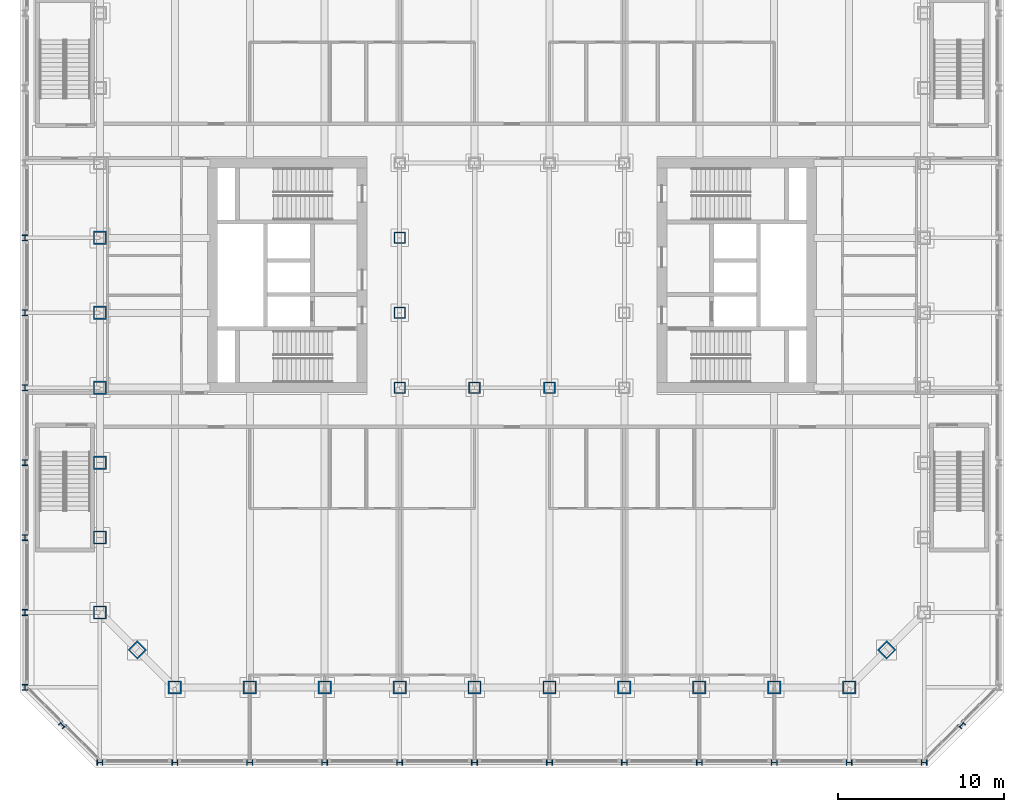
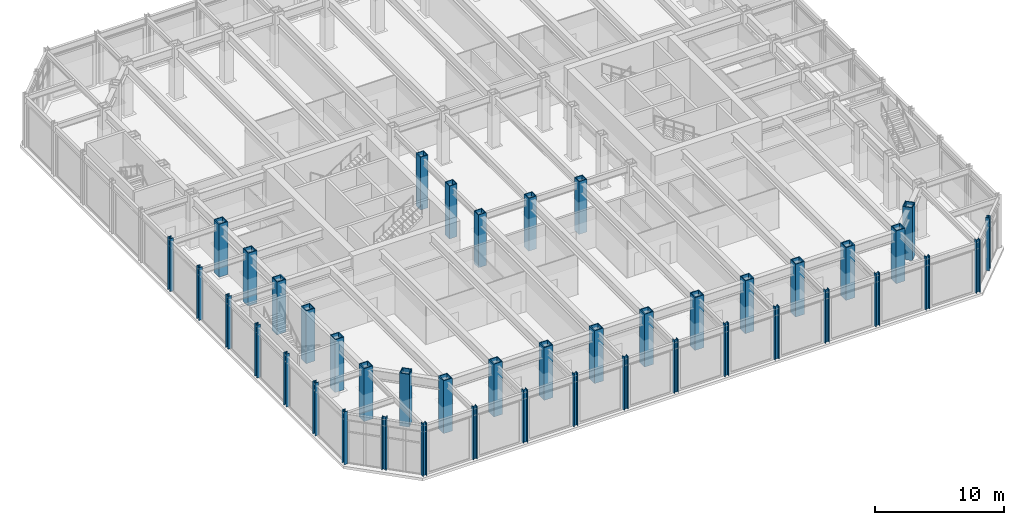
# One storey, part 1 of 19: 44 columns.
"""IFC4 building model written with IfcOpenShell, lengths in metres."""

from ifc_helpers import new_model, si_unit, direction, frame, origin, origin_2d, place, context, subcontext, project, spatial, hollow_rectangle, i_section, extrude, material, material_profile, profile_set, type_object, element, save


model = new_model("IFC4")

# Units and contexts
model_context = context("Model", 3, precision=1e-05, world=origin(), true_north=direction((0.0, 1.0)))
body_context = subcontext(model_context, "Body", "Model", "MODEL_VIEW")
ifc_project = project(units=[si_unit("LENGTHUNIT", "METRE"), si_unit("AREAUNIT", "SQUARE_METRE"), si_unit("VOLUMEUNIT", "CUBIC_METRE"), si_unit("PLANEANGLEUNIT", "RADIAN"), si_unit("MASSUNIT", "GRAM", prefix="KILO")], contexts=[model_context])

# Site, building, storey
site_placement = place(None, origin())
site = spatial("IfcSite", under=ifc_project, at=site_placement, CompositionType="ELEMENT")
building_placement = place(site_placement, origin())
building = spatial("IfcBuilding", under=site, at=building_placement, Name="Msasa Ring Tower", CompositionType="ELEMENT")
storey_placement = place(building_placement, frame((0.0, 0.0, 6.0)))
storey = spatial("IfcBuildingStorey", under=building, at=storey_placement, Name="L01", CompositionType="ELEMENT", Elevation=6.0)

# Columns
ifc_material_1 = material(Name="Steel S355", Category="steel")
ifc_material_profile_1 = material_profile(ifc_material_1, hollow_rectangle(XDim=0.699951171875, YDim=0.699951171875, WallThickness=0.070068359375, at=origin_2d()), Name="BOX 700x700x70")
ifc_profile_set_1 = profile_set([ifc_material_profile_1], Name="Steel S355")
column_type_1 = type_object("IfcColumnType", Name="IC1 BOX 700x700x70", PredefinedType="COLUMN", material=ifc_profile_set_1)
for number, where, z_axis, x_axis, name in (
    (1, (-6.75, -6.75, 0.0), (0.0, 0.0, 1.0), (1.0, 0.0, 0.0), "Inner ring column IR-6.75-6.75 L01"),
    (2, (-6.75, -2.25, 0.0), (0.0, 0.0, 1.0), (1.0, 0.0, 0.0), "Inner ring column IR-6.75-2.25 L01"),
    (3, (-6.75, 2.25, 0.0), (0.0, 0.0, 1.0), (1.0, 0.0, 0.0), "Inner ring column IR-6.75+2.25 L01"),
    (4, (-2.25, -6.75, 0.0), (0.0, 0.0, 1.0), (1.0, 0.0, 0.0), "Inner ring column IR-2.25-6.75 L01"),
    (5, (2.25, -6.75, 0.0), (0.0, 0.0, 1.0), (1.0, 0.0, 0.0), "Inner ring column IR+2.25-6.75 L01"),
):
    element("IfcColumn", number, at=place(storey_placement, frame(where, z_axis=z_axis, x_axis=x_axis)), inside=storey, type_object=column_type_1, Name=name, PredefinedType="COLUMN", context=body_context, shape_type="SweptSolid", body=[
        extrude(hollow_rectangle(XDim=0.699951171875, YDim=0.699951171875, WallThickness=0.070068359375, at=origin_2d()), origin(), (0.0, 0.0, 1.0), 5.0),
    ])
ifc_material_2 = material(Name="Steel S355", Category="steel")
ifc_material_profile_2 = material_profile(ifc_material_2, i_section(OverallWidth=0.322265625, OverallDepth=0.365234375, WebThickness=0.02685546875, FlangeThickness=0.044189453125, FilletRadius=0.01513671875, at=origin_2d()), Name="UC 305x305x283")
ifc_profile_set_2 = profile_set([ifc_material_profile_2], Name="Steel S355")
column_type_2 = type_object("IfcColumnType", Name="PC1 UC 305x305x283", PredefinedType="COLUMN", material=ifc_profile_set_2)
for number, where, z_axis, x_axis, name in (
    (6, (-24.75, -29.25, 0.0), (0.0, 0.0, 1.0), (0.0, 1.0, 0.0), "Podium column S-24.75 L01"),
    (7, (-29.25, -24.75, 0.0), (0.0, 0.0, 1.0), (1.0, 0.0, 0.0), "Podium column W-24.75 L01"),
    (8, (-20.25, -29.25, 0.0), (0.0, 0.0, 1.0), (0.0, 1.0, 0.0), "Podium column S-20.25 L01"),
    (9, (-29.25, -20.25, 0.0), (0.0, 0.0, 1.0), (1.0, 0.0, 0.0), "Podium column W-20.25 L01"),
    (10, (-15.75, -29.25, 0.0), (0.0, 0.0, 1.0), (0.0, 1.0, 0.0), "Podium column S-15.75 L01"),
    (11, (-29.25, -15.75, 0.0), (0.0, 0.0, 1.0), (1.0, 0.0, 0.0), "Podium column W-15.75 L01"),
    (12, (-11.25, -29.25, 0.0), (0.0, 0.0, 1.0), (0.0, 1.0, 0.0), "Podium column S-11.25 L01"),
    (13, (-29.25, -11.25, 0.0), (0.0, 0.0, 1.0), (1.0, 0.0, 0.0), "Podium column W-11.25 L01"),
    (14, (-6.75, -29.25, 0.0), (0.0, 0.0, 1.0), (0.0, 1.0, 0.0), "Podium column S-6.75 L01"),
    (15, (-29.25, -6.75, 0.0), (0.0, 0.0, 1.0), (1.0, 0.0, 0.0), "Podium column W-6.75 L01"),
    (16, (-2.25, -29.25, 0.0), (0.0, 0.0, 1.0), (0.0, 1.0, 0.0), "Podium column S-2.25 L01"),
    (17, (-29.25, -2.25, 0.0), (0.0, 0.0, 1.0), (1.0, 0.0, 0.0), "Podium column W-2.25 L01"),
    (18, (2.25, -29.25, 0.0), (0.0, 0.0, 1.0), (0.0, 1.0, 0.0), "Podium column S+2.25 L01"),
    (19, (-29.25, 2.25, 0.0), (0.0, 0.0, 1.0), (1.0, 0.0, 0.0), "Podium column W+2.25 L01"),
    (20, (6.75, -29.25, 0.0), (0.0, 0.0, 1.0), (0.0, 1.0, 0.0), "Podium column S+6.75 L01"),
    (21, (11.25, -29.25, 0.0), (0.0, 0.0, 1.0), (0.0, 1.0, 0.0), "Podium column S+11.25 L01"),
    (22, (15.75, -29.25, 0.0), (0.0, 0.0, 1.0), (0.0, 1.0, 0.0), "Podium column S+15.75 L01"),
    (23, (20.25, -29.25, 0.0), (0.0, 0.0, 1.0), (0.0, 1.0, 0.0), "Podium column S+20.25 L01"),
    (24, (24.75, -29.25, 0.0), (0.0, 0.0, 1.0), (0.0, 1.0, 0.0), "Podium column S+24.75 L01"),
    (25, (27.0, -27.0, 0.0), (0.0, 0.0, 1.0), (0.707106781187, -0.707106781187, 0.0), "Podium column SE L01"),
    (26, (-27.0, -27.0, 0.0), (0.0, 0.0, 1.0), (0.707106781187, 0.707106781187, 0.0), "Podium column SW L01"),
):
    element("IfcColumn", number, at=place(storey_placement, frame(where, z_axis=z_axis, x_axis=x_axis)), inside=storey, type_object=column_type_2, Name=name, PredefinedType="COLUMN", context=body_context, shape_type="SweptSolid", body=[
        extrude(i_section(OverallWidth=0.322265625, OverallDepth=0.365234375, WebThickness=0.02685546875, FlangeThickness=0.044189453125, FilletRadius=0.01513671875, at=origin_2d()), origin(), (0.0, 0.0, 1.0), 5.0),
    ])
ifc_material_3 = material(Name="Steel S355", Category="steel")
ifc_material_profile_3 = material_profile(ifc_material_3, hollow_rectangle(XDim=0.800048828125, YDim=0.800048828125, WallThickness=0.080078125, at=origin_2d()), Name="BOX 800x800x80")
ifc_profile_set_3 = profile_set([ifc_material_profile_3], Name="Steel S355")
column_type_3 = type_object("IfcColumnType", Name="TC1 BOX 800x800x80", PredefinedType="COLUMN", material=ifc_profile_set_3)
for number, where, z_axis, x_axis, name in (
    (27, (-20.25, -24.75, 0.0), (0.0, 0.0, 1.0), (0.0, 1.0, 0.0), "Tube column S-20.25 L01"),
    (28, (-24.75, -20.25, 0.0), (0.0, 0.0, 1.0), (1.0, 0.0, 0.0), "Tube column W-20.25 L01"),
    (29, (-15.75, -24.75, 0.0), (0.0, 0.0, 1.0), (0.0, 1.0, 0.0), "Tube column S-15.75 L01"),
    (30, (-24.75, -15.75, 0.0), (0.0, 0.0, 1.0), (1.0, 0.0, 0.0), "Tube column W-15.75 L01"),
    (31, (-11.25, -24.75, 0.0), (0.0, 0.0, 1.0), (0.0, 1.0, 0.0), "Tube column S-11.25 L01"),
    (32, (-24.75, -11.25, 0.0), (0.0, 0.0, 1.0), (1.0, 0.0, 0.0), "Tube column W-11.25 L01"),
    (33, (-6.75, -24.75, 0.0), (0.0, 0.0, 1.0), (0.0, 1.0, 0.0), "Tube column S-6.75 L01"),
    (34, (-24.75, -6.75, 0.0), (0.0, 0.0, 1.0), (1.0, 0.0, 0.0), "Tube column W-6.75 L01"),
    (35, (-2.25, -24.75, 0.0), (0.0, 0.0, 1.0), (0.0, 1.0, 0.0), "Tube column S-2.25 L01"),
    (36, (-24.75, -2.25, 0.0), (0.0, 0.0, 1.0), (1.0, 0.0, 0.0), "Tube column W-2.25 L01"),
    (37, (2.25, -24.75, 0.0), (0.0, 0.0, 1.0), (0.0, 1.0, 0.0), "Tube column S+2.25 L01"),
    (38, (-24.75, 2.25, 0.0), (0.0, 0.0, 1.0), (1.0, 0.0, 0.0), "Tube column W+2.25 L01"),
    (39, (6.75, -24.75, 0.0), (0.0, 0.0, 1.0), (0.0, 1.0, 0.0), "Tube column S+6.75 L01"),
    (40, (11.25, -24.75, 0.0), (0.0, 0.0, 1.0), (0.0, 1.0, 0.0), "Tube column S+11.25 L01"),
    (41, (15.75, -24.75, 0.0), (0.0, 0.0, 1.0), (0.0, 1.0, 0.0), "Tube column S+15.75 L01"),
    (42, (20.25, -24.75, 0.0), (0.0, 0.0, 1.0), (0.0, 1.0, 0.0), "Tube column S+20.25 L01"),
    (43, (22.5, -22.5, 0.0), (0.0, 0.0, 1.0), (0.707106781187, -0.707106781187, 0.0), "Tube column SE L01"),
    (44, (-22.5, -22.5, 0.0), (0.0, 0.0, 1.0), (0.707106781187, 0.707106781187, 0.0), "Tube column SW L01"),
):
    element("IfcColumn", number, at=place(storey_placement, frame(where, z_axis=z_axis, x_axis=x_axis)), inside=storey, type_object=column_type_3, Name=name, PredefinedType="COLUMN", context=body_context, shape_type="SweptSolid", body=[
        extrude(hollow_rectangle(XDim=0.800048828125, YDim=0.800048828125, WallThickness=0.080078125, at=origin_2d()), origin(), (0.0, 0.0, 1.0), 5.0),
    ])

save(model, "model.ifc")
